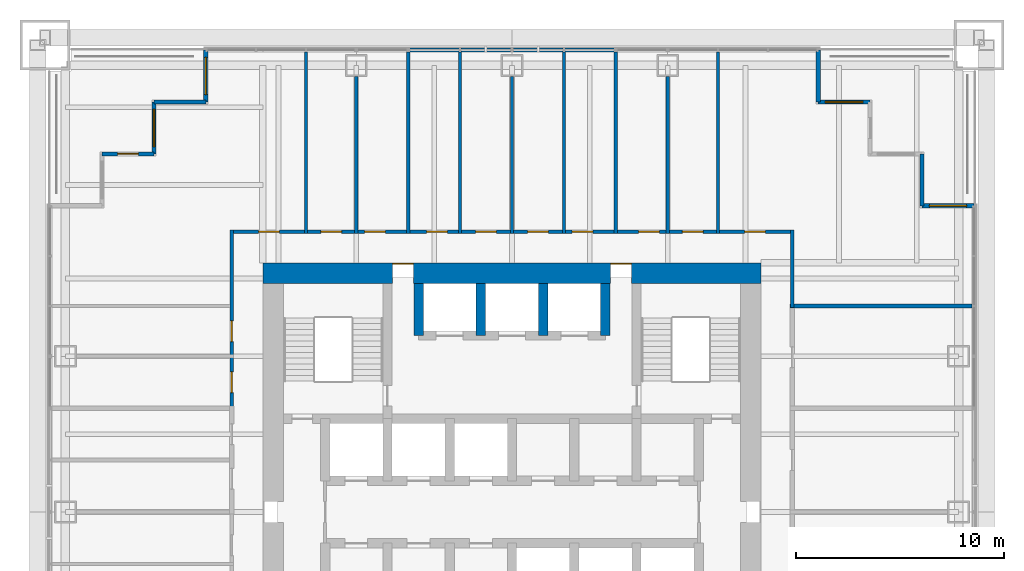
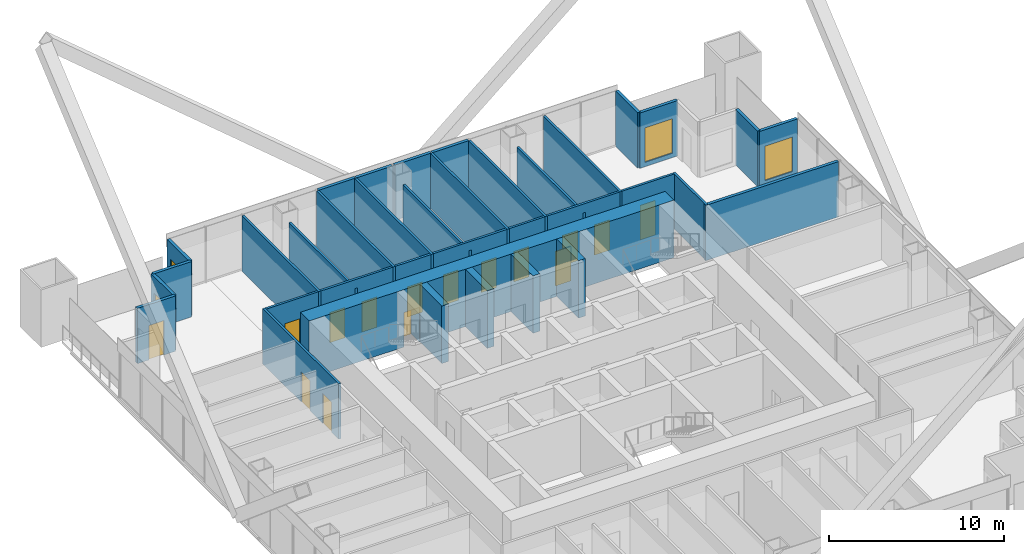
# One storey, part 14 of 17: 30 walls, 15 doors, 4 windows, 19 openings.
"""IFC4 building model written with IfcOpenShell, lengths in metres."""

from ifc_helpers import new_model, si_unit, direction, frame, frame_2d, origin, place, context, subcontext, project, spatial, rectangle, extrude, material, layer, layer_set, type_object, element, fill, save


model = new_model("IFC4")

# Units and contexts
model_context = context("Model", 3, precision=1e-05, world=origin(), true_north=direction((0.0, 1.0)))
body_context = subcontext(model_context, "Body", "Model", "MODEL_VIEW")
ifc_project = project(units=[si_unit("LENGTHUNIT", "METRE"), si_unit("AREAUNIT", "SQUARE_METRE"), si_unit("VOLUMEUNIT", "CUBIC_METRE"), si_unit("PLANEANGLEUNIT", "RADIAN"), si_unit("MASSUNIT", "GRAM", prefix="KILO")], contexts=[model_context])

# Site, building, storey
site_placement = place(None, origin())
site = spatial("IfcSite", under=ifc_project, at=site_placement, CompositionType="ELEMENT")
building_placement = place(site_placement, origin())
building = spatial("IfcBuilding", under=site, at=building_placement, Name="Tarangal Relay Tower", CompositionType="ELEMENT")
storey_placement = place(building_placement, frame((0.0, 0.0, 233.89990234375)))
storey = spatial("IfcBuildingStorey", under=building, at=storey_placement, Name="L50", CompositionType="ELEMENT", Elevation=233.89990234375)

# Walls
ifc_material_1 = material(Name="Two layers gypsum board each side on twin steel studs, mineral wool", Category="steel")
ifc_layer_1 = layer(ifc_material_1, 0.199951171875)
ifc_layer_set_1 = layer_set([ifc_layer_1], Name="Acoustic partition 200")
wall_type_1 = type_object("IfcWallType", Name="Acoustic partition 200", PredefinedType="PARTITIONING", material=ifc_layer_set_1)
wall_1_placement = place(storey_placement, frame((13.39990234375, 9.9169921875, 0.0), z_axis=(0.0, 0.0, 1.0), x_axis=(1.0, 0.0, 0.0)))
element("IfcWall", 1, at=wall_1_placement, inside=storey, type_object=wall_type_1, Name="Partition PT2 L50", PredefinedType="PARTITIONING", context=body_context, shape_type="SweptSolid", body=[
    extrude(rectangle(XDim=8.75, YDim=0.199951171875, at=frame_2d((4.375, 0.0))), origin(), (0.0, 0.0, 1.0), 3.85009765625),
])
ifc_material_2 = material(Name="Concrete fc' 60 MPa", Category="concrete")
ifc_layer_2 = layer(ifc_material_2, 0.449951171875)
ifc_layer_set_2 = layer_set([ifc_layer_2], Name="Core inner wall 450")
wall_type_2 = type_object("IfcWallType", Name="Core inner wall 450", PredefinedType="SHEAR", material=ifc_layer_set_2)
for number, where, z_axis, x_axis, name in (
    (2, (-4.5, 8.5, 0.0), (0.0, 0.0, 1.0), (0.0, 1.0, 0.0), "Core wall XM45 L50"),
    (3, (4.5, 8.5, 0.0), (0.0, 0.0, 1.0), (0.0, 1.0, 0.0), "Core wall X45 L50"),
    (4, (-1.5, 8.5, 0.0), (0.0, 0.0, 1.0), (0.0, 1.0, 0.0), "Core wall XM15 L50"),
    (5, (1.5, 8.5, 0.0), (0.0, 0.0, 1.0), (0.0, 1.0, 0.0), "Core wall X15 L50"),
):
    element("IfcWall", number, at=place(storey_placement, frame(where, z_axis=z_axis, x_axis=x_axis)), inside=storey, type_object=wall_type_2, Name=name, PredefinedType="SHEAR", context=body_context, shape_type="SweptSolid", body=[
        extrude(rectangle(XDim=2.5, YDim=0.449951171875, at=frame_2d((1.25, 0.0))), origin(), (0.0, 0.0, 1.0), 4.0),
    ])

# Wall, openings, doors
ifc_layer_3 = layer(ifc_material_2, 1.0)
ifc_layer_set_3 = layer_set([ifc_layer_3], Name="Core wall 1000")
wall_type_3 = type_object("IfcWallType", Name="Core wall 1000", PredefinedType="SHEAR", material=ifc_layer_set_3)
wall_2_placement = place(storey_placement, frame((-12.0, 11.5, 0.0), z_axis=(0.0, 0.0, 1.0), x_axis=(1.0, 0.0, 0.0)))
wall_2 = element("IfcWall", 6, at=wall_2_placement, inside=storey, type_object=wall_type_3, Name="Core wall N L50", PredefinedType="SHEAR", context=body_context, shape_type="SweptSolid", body=[
    extrude(rectangle(XDim=24.0, YDim=1.0, at=frame_2d((12.0, 0.0))), origin(), (0.0, 0.0, 1.0), 4.0),
])
opening_1_placement = place(wall_2_placement, frame((6.25, 0.0, 0.0)))
opening_1 = element("IfcOpeningElement", 7, at=opening_1_placement, cuts=wall_2, Name="Opening FD3", PredefinedType="OPENING", context=body_context, shape_type="SweptSolid", body=[
    extrude(rectangle(XDim=1.0, YDim=2.39990234375, at=frame_2d((0.5, 1.199951171875))), frame((0.0, 0.510009765625, 0.0), z_axis=(0.0, -1.0, 0.0), x_axis=(1.0, 0.0, 0.0)), (0.0, 0.0, 1.0), 1.02001953125),
])
opening_2_placement = place(wall_2_placement, frame((16.75, 0.0, 0.0)))
opening_2 = element("IfcOpeningElement", 8, at=opening_2_placement, cuts=wall_2, Name="Opening FD3", PredefinedType="OPENING", context=body_context, shape_type="SweptSolid", body=[
    extrude(rectangle(XDim=1.0, YDim=2.39990234375, at=frame_2d((0.5, 1.199951171875))), frame((0.0, 0.510009765625, 0.0), z_axis=(0.0, -1.0, 0.0), x_axis=(1.0, 0.0, 0.0)), (0.0, 0.0, 1.0), 1.02001953125),
])
ifc_material_3 = material(Name="Steel door with hardwood frame", Category="steel")
door_type_1 = type_object("IfcDoorType", Name="Fire door 1000 x 2400 core entry", OperationType="SINGLE_SWING_RIGHT", PredefinedType="DOOR", material=ifc_material_3)
door_1_placement = place(opening_1_placement, origin())
door_1 = element("IfcDoor", 9, at=door_1_placement, inside=storey, type_object=door_type_1, Name="Core entry door north west L50", OperationType="SINGLE_SWING_RIGHT", OverallHeight=2.39990234375, OverallWidth=1.0, PredefinedType="DOOR", context=body_context, shape_type="SweptSolid", body=[
    extrude(rectangle(XDim=1.0, YDim=2.39990234375, at=frame_2d((0.5, 1.199951171875))), frame((0.0, 0.48486328125, 0.0), z_axis=(0.0, -1.0, 0.0), x_axis=(1.0, 0.0, 0.0)), (0.0, 0.0, 1.0), 0.050048828125),
])
fill(opening_1, door_1)
door_2_placement = place(opening_2_placement, origin())
door_2 = element("IfcDoor", 10, at=door_2_placement, inside=storey, type_object=door_type_1, Name="Core entry door north east L50", OperationType="SINGLE_SWING_RIGHT", OverallHeight=2.39990234375, OverallWidth=1.0, PredefinedType="DOOR", context=body_context, shape_type="SweptSolid", body=[
    extrude(rectangle(XDim=1.0, YDim=2.39990234375, at=frame_2d((0.5, 1.199951171875))), frame((0.0, 0.48486328125, 0.0), z_axis=(0.0, -1.0, 0.0), x_axis=(1.0, 0.0, 0.0)), (0.0, 0.0, 1.0), 0.050048828125),
])
fill(opening_2, door_2)

# Wall
ifc_material_4 = material(Name="Black metal clad insulated wall", Category="steel")
ifc_layer_4 = layer(ifc_material_4, 0.199951171875)
ifc_layer_set_4 = layer_set([ifc_layer_4], Name="Corner wall metal clad 200")
wall_type_4 = type_object("IfcWallType", Name="Corner wall metal clad 200", PredefinedType="SOLIDWALL", material=ifc_layer_set_4)
wall_3_placement = place(storey_placement, frame((14.75, 22.25, 0.0), z_axis=(0.0, 0.0, 1.0), x_axis=(0.0, -1.0, 0.0)))
element("IfcWall", 11, at=wall_3_placement, inside=storey, type_object=wall_type_4, Name="Facade wall N facade L50", PredefinedType="SOLIDWALL", context=body_context, shape_type="SweptSolid", body=[
    extrude(rectangle(XDim=2.5, YDim=0.199951171875, at=frame_2d((1.25, 0.0))), origin(), (0.0, 0.0, 1.0), 3.85009765625),
])

# Wall, opening, window
wall_4_placement = place(storey_placement, frame((14.75, 19.75, 0.0), z_axis=(0.0, 0.0, 1.0), x_axis=(1.0, 0.0, 0.0)))
wall_4 = element("IfcWall", 12, at=wall_4_placement, inside=storey, type_object=wall_type_4, Name="Facade wall N facade L50", PredefinedType="SOLIDWALL", context=body_context, shape_type="SweptSolid", body=[
    extrude(rectangle(XDim=2.5, YDim=0.199951171875, at=frame_2d((1.25, 0.0))), origin(), (0.0, 0.0, 1.0), 3.85009765625),
])
opening_3_placement = place(wall_4_placement, frame((0.35009765625, 0.0, 0.300048828125)))
opening_3 = element("IfcOpeningElement", 13, at=opening_3_placement, cuts=wall_4, Name="Opening WN2", PredefinedType="OPENING", context=body_context, shape_type="SweptSolid", body=[
    extrude(rectangle(XDim=1.800048828125, YDim=2.39990234375, at=frame_2d((0.89990234375, 1.199951171875))), frame((0.0, 0.10986328125, 0.0), z_axis=(0.0, -1.0, 0.0), x_axis=(1.0, 0.0, 0.0)), (0.0, 0.0, 1.0), 0.219970703125),
])
ifc_material_5 = material(Name="Dark tinted double glazing in black aluminium frame", Category="aluminium")
window_type = type_object("IfcWindowType", Name="Corner window 1800 x 2400", PartitioningType="SINGLE_PANEL", PredefinedType="WINDOW", material=ifc_material_5)
window_1_placement = place(opening_3_placement, origin())
window_1 = element("IfcWindow", 14, at=window_1_placement, inside=storey, type_object=window_type, Name="Corner window WN2 N facade L50", OverallHeight=2.39990234375, OverallWidth=1.800048828125, PartitioningType="SINGLE_PANEL", PredefinedType="WINDOW", context=body_context, shape_type="SweptSolid", body=[
    extrude(rectangle(XDim=1.800048828125, YDim=2.39990234375, at=frame_2d((0.89990234375, 1.199951171875))), frame((0.0, 0.030029296875, 0.0), z_axis=(0.0, -1.0, 0.0), x_axis=(1.0, 0.0, 0.0)), (0.0, 0.0, 1.0), 0.06005859375),
])
fill(opening_3, window_1)

# Wall
wall_5_placement = place(storey_placement, frame((19.75, 17.25, 0.0), z_axis=(0.0, 0.0, 1.0), x_axis=(0.0, -1.0, 0.0)))
element("IfcWall", 15, at=wall_5_placement, inside=storey, type_object=wall_type_4, Name="Facade wall N facade L50", PredefinedType="SOLIDWALL", context=body_context, shape_type="SweptSolid", body=[
    extrude(rectangle(XDim=2.5, YDim=0.199951171875, at=frame_2d((1.25, 0.0))), origin(), (0.0, 0.0, 1.0), 3.85009765625),
])

# Wall, opening, window
wall_6_placement = place(storey_placement, frame((19.75, 14.75, 0.0), z_axis=(0.0, 0.0, 1.0), x_axis=(1.0, 0.0, 0.0)))
wall_6 = element("IfcWall", 16, at=wall_6_placement, inside=storey, type_object=wall_type_4, Name="Facade wall N facade L50", PredefinedType="SOLIDWALL", context=body_context, shape_type="SweptSolid", body=[
    extrude(rectangle(XDim=2.5, YDim=0.199951171875, at=frame_2d((1.25, 0.0))), origin(), (0.0, 0.0, 1.0), 3.85009765625),
])
opening_4_placement = place(wall_6_placement, frame((0.35009765625, 0.0, 0.300048828125)))
opening_4 = element("IfcOpeningElement", 17, at=opening_4_placement, cuts=wall_6, Name="Opening WN2", PredefinedType="OPENING", context=body_context, shape_type="SweptSolid", body=[
    extrude(rectangle(XDim=1.800048828125, YDim=2.39990234375, at=frame_2d((0.89990234375, 1.199951171875))), frame((0.0, 0.10986328125, 0.0), z_axis=(0.0, -1.0, 0.0), x_axis=(1.0, 0.0, 0.0)), (0.0, 0.0, 1.0), 0.219970703125),
])
window_2_placement = place(opening_4_placement, origin())
window_2 = element("IfcWindow", 18, at=window_2_placement, inside=storey, type_object=window_type, Name="Corner window WN2 N facade L50", OverallHeight=2.39990234375, OverallWidth=1.800048828125, PartitioningType="SINGLE_PANEL", PredefinedType="WINDOW", context=body_context, shape_type="SweptSolid", body=[
    extrude(rectangle(XDim=1.800048828125, YDim=2.39990234375, at=frame_2d((0.89990234375, 1.199951171875))), frame((0.0, 0.030029296875, 0.0), z_axis=(0.0, -1.0, 0.0), x_axis=(1.0, 0.0, 0.0)), (0.0, 0.0, 1.0), 0.06005859375),
])
fill(opening_4, window_2)

# Wall, opening, door
wall_7_placement = place(storey_placement, frame((-19.75, 17.25, 0.0), z_axis=(0.0, 0.0, 1.0), x_axis=(1.0, 0.0, 0.0)))
wall_7 = element("IfcWall", 19, at=wall_7_placement, inside=storey, type_object=wall_type_4, Name="Facade wall W facade L50", PredefinedType="SOLIDWALL", context=body_context, shape_type="SweptSolid", body=[
    extrude(rectangle(XDim=2.5, YDim=0.199951171875, at=frame_2d((1.25, 0.0))), origin(), (0.0, 0.0, 1.0), 3.85009765625),
])
opening_5_placement = place(wall_7_placement, frame((0.75, 0.0, 0.0)))
opening_5 = element("IfcOpeningElement", 20, at=opening_5_placement, cuts=wall_7, Name="Opening TD1", PredefinedType="OPENING", context=body_context, shape_type="SweptSolid", body=[
    extrude(rectangle(XDim=1.0, YDim=2.39990234375, at=frame_2d((0.5, 1.199951171875))), frame((0.0, 0.10986328125, 0.0), z_axis=(0.0, -1.0, 0.0), x_axis=(1.0, 0.0, 0.0)), (0.0, 0.0, 1.0), 0.219970703125),
])
ifc_material_6 = material(Name="Aluminium glazed door", Category="aluminium")
door_type_2 = type_object("IfcDoorType", Name="Terrace door 1000 x 2400", OperationType="SINGLE_SWING_RIGHT", PredefinedType="DOOR", material=ifc_material_6)
door_3_placement = place(opening_5_placement, origin())
door_3 = element("IfcDoor", 21, at=door_3_placement, inside=storey, type_object=door_type_2, Name="Terrace door TD1 NW L50", OperationType="SINGLE_SWING_RIGHT", OverallHeight=2.39990234375, OverallWidth=1.0, PredefinedType="DOOR", context=body_context, shape_type="SweptSolid", body=[
    extrude(rectangle(XDim=1.0, YDim=2.39990234375, at=frame_2d((0.5, 1.199951171875))), frame((0.0, 0.02490234375, 0.0), z_axis=(0.0, -1.0, 0.0), x_axis=(1.0, 0.0, 0.0)), (0.0, 0.0, 1.0), 0.050048828125),
])
fill(opening_5, door_3)

# Wall, opening, window
wall_8_placement = place(storey_placement, frame((-17.25, 17.25, 0.0), z_axis=(0.0, 0.0, 1.0), x_axis=(0.0, 1.0, 0.0)))
wall_8 = element("IfcWall", 22, at=wall_8_placement, inside=storey, type_object=wall_type_4, Name="Facade wall W facade L50", PredefinedType="SOLIDWALL", context=body_context, shape_type="SweptSolid", body=[
    extrude(rectangle(XDim=2.5, YDim=0.199951171875, at=frame_2d((1.25, 0.0))), origin(), (0.0, 0.0, 1.0), 3.85009765625),
])
opening_6_placement = place(wall_8_placement, frame((0.35009765625, 0.0, 0.300048828125)))
opening_6 = element("IfcOpeningElement", 23, at=opening_6_placement, cuts=wall_8, Name="Opening WN2", PredefinedType="OPENING", context=body_context, shape_type="SweptSolid", body=[
    extrude(rectangle(XDim=1.800048828125, YDim=2.39990234375, at=frame_2d((0.89990234375, 1.199951171875))), frame((0.0, 0.10986328125, 0.0), z_axis=(0.0, -1.0, 0.0), x_axis=(1.0, 0.0, 0.0)), (0.0, 0.0, 1.0), 0.219970703125),
])
window_3_placement = place(opening_6_placement, origin())
window_3 = element("IfcWindow", 24, at=window_3_placement, inside=storey, type_object=window_type, Name="Corner window WN2 W facade L50", OverallHeight=2.39990234375, OverallWidth=1.800048828125, PartitioningType="SINGLE_PANEL", PredefinedType="WINDOW", context=body_context, shape_type="SweptSolid", body=[
    extrude(rectangle(XDim=1.800048828125, YDim=2.39990234375, at=frame_2d((0.89990234375, 1.199951171875))), frame((0.0, 0.030029296875, 0.0), z_axis=(0.0, -1.0, 0.0), x_axis=(1.0, 0.0, 0.0)), (0.0, 0.0, 1.0), 0.06005859375),
])
fill(opening_6, window_3)

# Wall
wall_9_placement = place(storey_placement, frame((-17.25, 19.75, 0.0), z_axis=(0.0, 0.0, 1.0), x_axis=(1.0, 0.0, 0.0)))
element("IfcWall", 25, at=wall_9_placement, inside=storey, type_object=wall_type_4, Name="Facade wall W facade L50", PredefinedType="SOLIDWALL", context=body_context, shape_type="SweptSolid", body=[
    extrude(rectangle(XDim=2.5, YDim=0.199951171875, at=frame_2d((1.25, 0.0))), origin(), (0.0, 0.0, 1.0), 3.85009765625),
])

# Wall, opening, window
wall_10_placement = place(storey_placement, frame((-14.75, 19.75, 0.0), z_axis=(0.0, 0.0, 1.0), x_axis=(0.0, 1.0, 0.0)))
wall_10 = element("IfcWall", 26, at=wall_10_placement, inside=storey, type_object=wall_type_4, Name="Facade wall W facade L50", PredefinedType="SOLIDWALL", context=body_context, shape_type="SweptSolid", body=[
    extrude(rectangle(XDim=2.5, YDim=0.199951171875, at=frame_2d((1.25, 0.0))), origin(), (0.0, 0.0, 1.0), 3.85009765625),
])
opening_7_placement = place(wall_10_placement, frame((0.35009765625, 0.0, 0.300048828125)))
opening_7 = element("IfcOpeningElement", 27, at=opening_7_placement, cuts=wall_10, Name="Opening WN2", PredefinedType="OPENING", context=body_context, shape_type="SweptSolid", body=[
    extrude(rectangle(XDim=1.800048828125, YDim=2.39990234375, at=frame_2d((0.89990234375, 1.199951171875))), frame((0.0, 0.10986328125, 0.0), z_axis=(0.0, -1.0, 0.0), x_axis=(1.0, 0.0, 0.0)), (0.0, 0.0, 1.0), 0.219970703125),
])
window_4_placement = place(opening_7_placement, origin())
window_4 = element("IfcWindow", 28, at=window_4_placement, inside=storey, type_object=window_type, Name="Corner window WN2 W facade L50", OverallHeight=2.39990234375, OverallWidth=1.800048828125, PartitioningType="SINGLE_PANEL", PredefinedType="WINDOW", context=body_context, shape_type="SweptSolid", body=[
    extrude(rectangle(XDim=1.800048828125, YDim=2.39990234375, at=frame_2d((0.89990234375, 1.199951171875))), frame((0.0, 0.030029296875, 0.0), z_axis=(0.0, -1.0, 0.0), x_axis=(1.0, 0.0, 0.0)), (0.0, 0.0, 1.0), 0.06005859375),
])
fill(opening_7, window_4)

# Walls
ifc_layer_5 = layer(ifc_material_4, 0.199951171875)
ifc_layer_set_5 = layer_set([ifc_layer_5], Name="Facade infill wall metal clad 200")
wall_type_5 = type_object("IfcWallType", Name="Facade infill wall metal clad 200", PredefinedType="SOLIDWALL", material=ifc_layer_set_5)
for number, where, z_axis, x_axis, name in (
    (29, (-4.93505859375, 22.25, 0.0), (0.0, 0.0, 1.0), (1.0, 0.0, 0.0), "Facade infill wall N facade L50 1.1"),
    (30, (-2.467529296875, 22.25, 0.0), (0.0, 0.0, 1.0), (1.0, 0.0, 0.0), "Facade infill wall N facade L50 2.1"),
    (31, (0.06494140625, 22.25, 0.0), (0.0, 0.0, 1.0), (1.0, 0.0, 0.0), "Facade infill wall N facade L50 1.1"),
    (32, (2.532470703125, 22.25, 0.0), (0.0, 0.0, 1.0), (1.0, 0.0, 0.0), "Facade infill wall N facade L50 2.1"),
):
    element("IfcWall", number, at=place(storey_placement, frame(where, z_axis=z_axis, x_axis=x_axis)), inside=storey, type_object=wall_type_5, Name=name, PredefinedType="SOLIDWALL", context=body_context, shape_type="SweptSolid", body=[
        extrude(rectangle(XDim=2.402587890625, YDim=0.199951171875, at=frame_2d((1.201171875, 0.0))), origin(), (0.0, 0.0, 1.0), 3.85009765625),
    ])

# Wall, openings, doors
ifc_material_7 = material(Name="Gypsum board on steel studs", Category="steel")
ifc_layer_6 = layer(ifc_material_7, 0.14990234375)
ifc_layer_set_6 = layer_set([ifc_layer_6], Name="Partition 150")
wall_type_6 = type_object("IfcWallType", Name="Partition 150", PredefinedType="PARTITIONING", material=ifc_layer_set_6)
wall_11_placement = place(storey_placement, frame((-13.574951171875, 13.5, 0.0), z_axis=(0.0, 0.0, 1.0), x_axis=(1.0, 0.0, 0.0)))
wall_11 = element("IfcWall", 33, at=wall_11_placement, inside=storey, type_object=wall_type_6, Name="Partition PT1 L50", PredefinedType="PARTITIONING", context=body_context, shape_type="SweptSolid", body=[
    extrude(rectangle(XDim=27.14990234375, YDim=0.14990234375, at=frame_2d((13.574951171875, 0.0))), origin(), (0.0, 0.0, 1.0), 3.85009765625),
])
opening_8_placement = place(wall_11_placement, frame((4.366455078125, 0.0, 0.0)))
opening_8 = element("IfcOpeningElement", 34, at=opening_8_placement, cuts=wall_11, Name="Opening D2", PredefinedType="OPENING", context=body_context, shape_type="SweptSolid", body=[
    extrude(rectangle(XDim=1.0, YDim=2.10009765625, at=frame_2d((0.5, 1.050048828125))), frame((0.0, 0.0849609375, 0.0), z_axis=(0.0, -1.0, 0.0), x_axis=(1.0, 0.0, 0.0)), (0.0, 0.0, 1.0), 0.169921875),
])
opening_9_placement = place(wall_11_placement, frame((6.47509765625, 0.0, 0.0)))
opening_9 = element("IfcOpeningElement", 35, at=opening_9_placement, cuts=wall_11, Name="Opening D2", PredefinedType="OPENING", context=body_context, shape_type="SweptSolid", body=[
    extrude(rectangle(XDim=1.0, YDim=2.10009765625, at=frame_2d((0.5, 1.050048828125))), frame((0.0, 0.0849609375, 0.0), z_axis=(0.0, -1.0, 0.0), x_axis=(1.0, 0.0, 0.0)), (0.0, 0.0, 1.0), 0.169921875),
])
opening_10_placement = place(wall_11_placement, frame((9.465087890625, 0.0, 0.0)))
opening_10 = element("IfcOpeningElement", 36, at=opening_10_placement, cuts=wall_11, Name="Opening D2", PredefinedType="OPENING", context=body_context, shape_type="SweptSolid", body=[
    extrude(rectangle(XDim=1.0, YDim=2.10009765625, at=frame_2d((0.5, 1.050048828125))), frame((0.0, 0.0849609375, 0.0), z_axis=(0.0, -1.0, 0.0), x_axis=(1.0, 0.0, 0.0)), (0.0, 0.0, 1.0), 0.169921875),
])
opening_11_placement = place(wall_11_placement, frame((11.824951171875, 0.0, 0.0)))
opening_11 = element("IfcOpeningElement", 37, at=opening_11_placement, cuts=wall_11, Name="Opening D2", PredefinedType="OPENING", context=body_context, shape_type="SweptSolid", body=[
    extrude(rectangle(XDim=1.0, YDim=2.10009765625, at=frame_2d((0.5, 1.050048828125))), frame((0.0, 0.0849609375, 0.0), z_axis=(0.0, -1.0, 0.0), x_axis=(1.0, 0.0, 0.0)), (0.0, 0.0, 1.0), 0.169921875),
])
opening_12_placement = place(wall_11_placement, frame((14.324951171875, 0.0, 0.0)))
opening_12 = element("IfcOpeningElement", 38, at=opening_12_placement, cuts=wall_11, Name="Opening D2", PredefinedType="OPENING", context=body_context, shape_type="SweptSolid", body=[
    extrude(rectangle(XDim=1.0, YDim=2.10009765625, at=frame_2d((0.5, 1.050048828125))), frame((0.0, 0.0849609375, 0.0), z_axis=(0.0, -1.0, 0.0), x_axis=(1.0, 0.0, 0.0)), (0.0, 0.0, 1.0), 0.169921875),
])
opening_13_placement = place(wall_11_placement, frame((16.47509765625, 0.0, 0.0)))
opening_13 = element("IfcOpeningElement", 39, at=opening_13_placement, cuts=wall_11, Name="Opening D2", PredefinedType="OPENING", context=body_context, shape_type="SweptSolid", body=[
    extrude(rectangle(XDim=1.0, YDim=2.10009765625, at=frame_2d((0.5, 1.050048828125))), frame((0.0, 0.0849609375, 0.0), z_axis=(0.0, -1.0, 0.0), x_axis=(1.0, 0.0, 0.0)), (0.0, 0.0, 1.0), 0.169921875),
])
opening_14_placement = place(wall_11_placement, frame((19.675048828125, 0.0, 0.0)))
opening_14 = element("IfcOpeningElement", 40, at=opening_14_placement, cuts=wall_11, Name="Opening D2", PredefinedType="OPENING", context=body_context, shape_type="SweptSolid", body=[
    extrude(rectangle(XDim=1.0, YDim=2.10009765625, at=frame_2d((0.5, 1.050048828125))), frame((0.0, 0.0849609375, 0.0), z_axis=(0.0, -1.0, 0.0), x_axis=(1.0, 0.0, 0.0)), (0.0, 0.0, 1.0), 0.169921875),
])
opening_15_placement = place(wall_11_placement, frame((21.783447265625, 0.0, 0.0)))
opening_15 = element("IfcOpeningElement", 41, at=opening_15_placement, cuts=wall_11, Name="Opening D2", PredefinedType="OPENING", context=body_context, shape_type="SweptSolid", body=[
    extrude(rectangle(XDim=1.0, YDim=2.10009765625, at=frame_2d((0.5, 1.050048828125))), frame((0.0, 0.0849609375, 0.0), z_axis=(0.0, -1.0, 0.0), x_axis=(1.0, 0.0, 0.0)), (0.0, 0.0, 1.0), 0.169921875),
])
opening_16_placement = place(wall_11_placement, frame((24.783447265625, 0.0, 0.0)))
opening_16 = element("IfcOpeningElement", 42, at=opening_16_placement, cuts=wall_11, Name="Opening SD1", PredefinedType="OPENING", context=body_context, shape_type="SweptSolid", body=[
    extrude(rectangle(XDim=1.0, YDim=2.39990234375, at=frame_2d((0.5, 1.199951171875))), frame((0.0, 0.0849609375, 0.0), z_axis=(0.0, -1.0, 0.0), x_axis=(1.0, 0.0, 0.0)), (0.0, 0.0, 1.0), 0.169921875),
])
opening_17_placement = place(wall_11_placement, frame((1.366455078125, 0.0, 0.0)))
opening_17 = element("IfcOpeningElement", 43, at=opening_17_placement, cuts=wall_11, Name="Opening SD1", PredefinedType="OPENING", context=body_context, shape_type="SweptSolid", body=[
    extrude(rectangle(XDim=1.0, YDim=2.39990234375, at=frame_2d((0.5, 1.199951171875))), frame((0.0, 0.0849609375, 0.0), z_axis=(0.0, -1.0, 0.0), x_axis=(1.0, 0.0, 0.0)), (0.0, 0.0, 1.0), 0.169921875),
])
ifc_material_8 = material(Name="Hardwood door", Category="wood")
door_type_3 = type_object("IfcDoorType", Name="Door 1000 x 2100", OperationType="SINGLE_SWING_LEFT", PredefinedType="DOOR", material=ifc_material_8)
door_4_placement = place(opening_8_placement, origin())
door_4 = element("IfcDoor", 44, at=door_4_placement, inside=storey, type_object=door_type_3, Name="Door D2 to cellular office L50-02", OperationType="SINGLE_SWING_LEFT", OverallHeight=2.10009765625, OverallWidth=1.0, PredefinedType="DOOR", context=body_context, shape_type="SweptSolid", body=[
    extrude(rectangle(XDim=1.0, YDim=2.10009765625, at=frame_2d((0.5, 1.050048828125))), frame((0.0, 0.02490234375, 0.0), z_axis=(0.0, -1.0, 0.0), x_axis=(1.0, 0.0, 0.0)), (0.0, 0.0, 1.0), 0.050048828125),
])
fill(opening_8, door_4)
door_5_placement = place(opening_9_placement, origin())
door_5 = element("IfcDoor", 45, at=door_5_placement, inside=storey, type_object=door_type_3, Name="Door D2 to cellular office L50-03", OperationType="SINGLE_SWING_LEFT", OverallHeight=2.10009765625, OverallWidth=1.0, PredefinedType="DOOR", context=body_context, shape_type="SweptSolid", body=[
    extrude(rectangle(XDim=1.0, YDim=2.10009765625, at=frame_2d((0.5, 1.050048828125))), frame((0.0, 0.02490234375, 0.0), z_axis=(0.0, -1.0, 0.0), x_axis=(1.0, 0.0, 0.0)), (0.0, 0.0, 1.0), 0.050048828125),
])
fill(opening_9, door_5)
door_6_placement = place(opening_10_placement, origin())
door_6 = element("IfcDoor", 46, at=door_6_placement, inside=storey, type_object=door_type_3, Name="Door D2 to cellular office L50-04", OperationType="SINGLE_SWING_LEFT", OverallHeight=2.10009765625, OverallWidth=1.0, PredefinedType="DOOR", context=body_context, shape_type="SweptSolid", body=[
    extrude(rectangle(XDim=1.0, YDim=2.10009765625, at=frame_2d((0.5, 1.050048828125))), frame((0.0, 0.02490234375, 0.0), z_axis=(0.0, -1.0, 0.0), x_axis=(1.0, 0.0, 0.0)), (0.0, 0.0, 1.0), 0.050048828125),
])
fill(opening_10, door_6)
door_7_placement = place(opening_11_placement, origin())
door_7 = element("IfcDoor", 47, at=door_7_placement, inside=storey, type_object=door_type_3, Name="Door D2 to cellular office L50-05", OperationType="SINGLE_SWING_LEFT", OverallHeight=2.10009765625, OverallWidth=1.0, PredefinedType="DOOR", context=body_context, shape_type="SweptSolid", body=[
    extrude(rectangle(XDim=1.0, YDim=2.10009765625, at=frame_2d((0.5, 1.050048828125))), frame((0.0, 0.02490234375, 0.0), z_axis=(0.0, -1.0, 0.0), x_axis=(1.0, 0.0, 0.0)), (0.0, 0.0, 1.0), 0.050048828125),
])
fill(opening_11, door_7)
door_8_placement = place(opening_12_placement, origin())
door_8 = element("IfcDoor", 48, at=door_8_placement, inside=storey, type_object=door_type_3, Name="Door D2 to cellular office L50-06", OperationType="SINGLE_SWING_LEFT", OverallHeight=2.10009765625, OverallWidth=1.0, PredefinedType="DOOR", context=body_context, shape_type="SweptSolid", body=[
    extrude(rectangle(XDim=1.0, YDim=2.10009765625, at=frame_2d((0.5, 1.050048828125))), frame((0.0, 0.02490234375, 0.0), z_axis=(0.0, -1.0, 0.0), x_axis=(1.0, 0.0, 0.0)), (0.0, 0.0, 1.0), 0.050048828125),
])
fill(opening_12, door_8)
door_9_placement = place(opening_13_placement, origin())
door_9 = element("IfcDoor", 49, at=door_9_placement, inside=storey, type_object=door_type_3, Name="Door D2 to cellular office L50-07", OperationType="SINGLE_SWING_LEFT", OverallHeight=2.10009765625, OverallWidth=1.0, PredefinedType="DOOR", context=body_context, shape_type="SweptSolid", body=[
    extrude(rectangle(XDim=1.0, YDim=2.10009765625, at=frame_2d((0.5, 1.050048828125))), frame((0.0, 0.02490234375, 0.0), z_axis=(0.0, -1.0, 0.0), x_axis=(1.0, 0.0, 0.0)), (0.0, 0.0, 1.0), 0.050048828125),
])
fill(opening_13, door_9)
door_10_placement = place(opening_14_placement, origin())
door_10 = element("IfcDoor", 50, at=door_10_placement, inside=storey, type_object=door_type_3, Name="Door D2 to cellular office L50-08", OperationType="SINGLE_SWING_LEFT", OverallHeight=2.10009765625, OverallWidth=1.0, PredefinedType="DOOR", context=body_context, shape_type="SweptSolid", body=[
    extrude(rectangle(XDim=1.0, YDim=2.10009765625, at=frame_2d((0.5, 1.050048828125))), frame((0.0, 0.02490234375, 0.0), z_axis=(0.0, -1.0, 0.0), x_axis=(1.0, 0.0, 0.0)), (0.0, 0.0, 1.0), 0.050048828125),
])
fill(opening_14, door_10)
door_11_placement = place(opening_15_placement, origin())
door_11 = element("IfcDoor", 51, at=door_11_placement, inside=storey, type_object=door_type_3, Name="Door D2 to cellular office L50-09", OperationType="SINGLE_SWING_LEFT", OverallHeight=2.10009765625, OverallWidth=1.0, PredefinedType="DOOR", context=body_context, shape_type="SweptSolid", body=[
    extrude(rectangle(XDim=1.0, YDim=2.10009765625, at=frame_2d((0.5, 1.050048828125))), frame((0.0, 0.02490234375, 0.0), z_axis=(0.0, -1.0, 0.0), x_axis=(1.0, 0.0, 0.0)), (0.0, 0.0, 1.0), 0.050048828125),
])
fill(opening_15, door_11)
door_type_4 = type_object("IfcDoorType", Name="Suite entrance door 1000 x 2400", OperationType="SINGLE_SWING_RIGHT", PredefinedType="DOOR", material=ifc_material_3)
door_12_placement = place(opening_16_placement, origin())
door_12 = element("IfcDoor", 52, at=door_12_placement, inside=storey, type_object=door_type_4, Name="Door SD1 to open plan office L50-31", OperationType="SINGLE_SWING_RIGHT", OverallHeight=2.39990234375, OverallWidth=1.0, PredefinedType="DOOR", context=body_context, shape_type="SweptSolid", body=[
    extrude(rectangle(XDim=1.0, YDim=2.39990234375, at=frame_2d((0.5, 1.199951171875))), frame((0.0, 0.02490234375, 0.0), z_axis=(0.0, -1.0, 0.0), x_axis=(1.0, 0.0, 0.0)), (0.0, 0.0, 1.0), 0.050048828125),
])
fill(opening_16, door_12)
door_13_placement = place(opening_17_placement, origin())
door_13 = element("IfcDoor", 53, at=door_13_placement, inside=storey, type_object=door_type_4, Name="Door SD1 to open plan office L50-34", OperationType="SINGLE_SWING_RIGHT", OverallHeight=2.39990234375, OverallWidth=1.0, PredefinedType="DOOR", context=body_context, shape_type="SweptSolid", body=[
    extrude(rectangle(XDim=1.0, YDim=2.39990234375, at=frame_2d((0.5, 1.199951171875))), frame((0.0, 0.02490234375, 0.0), z_axis=(0.0, -1.0, 0.0), x_axis=(1.0, 0.0, 0.0)), (0.0, 0.0, 1.0), 0.050048828125),
])
fill(opening_17, door_13)

wall_12_placement = place(storey_placement, frame((-13.5, 4.925048828125, 0.0), z_axis=(0.0, 0.0, 1.0), x_axis=(0.0, 1.0, 0.0)))
wall_12 = element("IfcWall", 54, at=wall_12_placement, inside=storey, type_object=wall_type_6, Name="Partition PT1 L50", PredefinedType="PARTITIONING", context=body_context, shape_type="SweptSolid", body=[
    extrude(rectangle(XDim=8.64990234375, YDim=0.14990234375, at=frame_2d((4.324951171875, 0.0))), origin(), (0.0, 0.0, 1.0), 3.85009765625),
])
opening_18_placement = place(wall_12_placement, frame((0.824951171875, 0.0, 0.0)))
opening_18 = element("IfcOpeningElement", 55, at=opening_18_placement, cuts=wall_12, Name="Opening D2", PredefinedType="OPENING", context=body_context, shape_type="SweptSolid", body=[
    extrude(rectangle(XDim=1.0, YDim=2.10009765625, at=frame_2d((0.5, 1.050048828125))), frame((0.0, 0.0849609375, 0.0), z_axis=(0.0, -1.0, 0.0), x_axis=(1.0, 0.0, 0.0)), (0.0, 0.0, 1.0), 0.169921875),
])
opening_19_placement = place(wall_12_placement, frame((3.283447265625, 0.0, 0.0)))
opening_19 = element("IfcOpeningElement", 56, at=opening_19_placement, cuts=wall_12, Name="Opening D2", PredefinedType="OPENING", context=body_context, shape_type="SweptSolid", body=[
    extrude(rectangle(XDim=1.0, YDim=2.10009765625, at=frame_2d((0.5, 1.050048828125))), frame((0.0, 0.0849609375, 0.0), z_axis=(0.0, -1.0, 0.0), x_axis=(1.0, 0.0, 0.0)), (0.0, 0.0, 1.0), 0.169921875),
])
door_14_placement = place(opening_18_placement, origin())
door_14 = element("IfcDoor", 57, at=door_14_placement, inside=storey, type_object=door_type_3, Name="Door D2 to cellular office L50-29", OperationType="SINGLE_SWING_LEFT", OverallHeight=2.10009765625, OverallWidth=1.0, PredefinedType="DOOR", context=body_context, shape_type="SweptSolid", body=[
    extrude(rectangle(XDim=1.0, YDim=2.10009765625, at=frame_2d((0.5, 1.050048828125))), frame((0.0, 0.02490234375, 0.0), z_axis=(0.0, -1.0, 0.0), x_axis=(1.0, 0.0, 0.0)), (0.0, 0.0, 1.0), 0.050048828125),
])
fill(opening_18, door_14)
door_15_placement = place(opening_19_placement, origin())
door_15 = element("IfcDoor", 58, at=door_15_placement, inside=storey, type_object=door_type_3, Name="Door D2 to cellular office L50-30", OperationType="SINGLE_SWING_LEFT", OverallHeight=2.10009765625, OverallWidth=1.0, PredefinedType="DOOR", context=body_context, shape_type="SweptSolid", body=[
    extrude(rectangle(XDim=1.0, YDim=2.10009765625, at=frame_2d((0.5, 1.050048828125))), frame((0.0, 0.02490234375, 0.0), z_axis=(0.0, -1.0, 0.0), x_axis=(1.0, 0.0, 0.0)), (0.0, 0.0, 1.0), 0.050048828125),
])
fill(opening_19, door_15)

# Walls
wall_13_placement = place(storey_placement, frame((-9.9169921875, 13.425048828125, 0.0), z_axis=(0.0, 0.0, 1.0), x_axis=(0.0, 1.0, 0.0)))
element("IfcWall", 59, at=wall_13_placement, inside=storey, type_object=wall_type_6, Name="Partition PT1 L50", PredefinedType="PARTITIONING", context=body_context, shape_type="SweptSolid", body=[
    extrude(rectangle(XDim=8.724853515625, YDim=0.14990234375, at=frame_2d((4.3623046875, 0.0))), origin(), (0.0, 0.0, 1.0), 3.85009765625),
])
wall_14_placement = place(storey_placement, frame((-7.5, 13.425048828125, 0.0), z_axis=(0.0, 0.0, 1.0), x_axis=(0.0, 1.0, 0.0)))
element("IfcWall", 60, at=wall_14_placement, inside=storey, type_object=wall_type_6, Name="Partition PT1 L50", PredefinedType="PARTITIONING", context=body_context, shape_type="SweptSolid", body=[
    extrude(rectangle(XDim=7.56494140625, YDim=0.14990234375, at=frame_2d((3.782470703125, 0.0))), origin(), (0.0, 0.0, 1.0), 3.238037109375),
])
for number, where, z_axis, x_axis, name in (
    (61, (-5.0, 13.425048828125, 0.0), (0.0, 0.0, 1.0), (0.0, 1.0, 0.0), "Partition PT1 L50"),
    (62, (-2.5, 13.425048828125, 0.0), (0.0, 0.0, 1.0), (0.0, 1.0, 0.0), "Partition PT1 L50"),
):
    element("IfcWall", number, at=place(storey_placement, frame(where, z_axis=z_axis, x_axis=x_axis)), inside=storey, type_object=wall_type_6, Name=name, PredefinedType="PARTITIONING", context=body_context, shape_type="SweptSolid", body=[
        extrude(rectangle(XDim=8.724853515625, YDim=0.14990234375, at=frame_2d((4.3623046875, 0.0))), origin(), (0.0, 0.0, 1.0), 3.85009765625),
    ])
wall_15_placement = place(storey_placement, frame((0.0, 13.425048828125, 0.0), z_axis=(0.0, 0.0, 1.0), x_axis=(0.0, 1.0, 0.0)))
element("IfcWall", 63, at=wall_15_placement, inside=storey, type_object=wall_type_6, Name="Partition PT1 L50", PredefinedType="PARTITIONING", context=body_context, shape_type="SweptSolid", body=[
    extrude(rectangle(XDim=7.56494140625, YDim=0.14990234375, at=frame_2d((3.782470703125, 0.0))), origin(), (0.0, 0.0, 1.0), 3.238037109375),
])
for number, where, z_axis, x_axis, name in (
    (64, (2.5, 13.425048828125, 0.0), (0.0, 0.0, 1.0), (0.0, 1.0, 0.0), "Partition PT1 L50"),
    (65, (5.0, 13.425048828125, 0.0), (0.0, 0.0, 1.0), (0.0, 1.0, 0.0), "Partition PT1 L50"),
):
    element("IfcWall", number, at=place(storey_placement, frame(where, z_axis=z_axis, x_axis=x_axis)), inside=storey, type_object=wall_type_6, Name=name, PredefinedType="PARTITIONING", context=body_context, shape_type="SweptSolid", body=[
        extrude(rectangle(XDim=8.724853515625, YDim=0.14990234375, at=frame_2d((4.3623046875, 0.0))), origin(), (0.0, 0.0, 1.0), 3.85009765625),
    ])
wall_16_placement = place(storey_placement, frame((7.5, 13.425048828125, 0.0), z_axis=(0.0, 0.0, 1.0), x_axis=(0.0, 1.0, 0.0)))
element("IfcWall", 66, at=wall_16_placement, inside=storey, type_object=wall_type_6, Name="Partition PT1 L50", PredefinedType="PARTITIONING", context=body_context, shape_type="SweptSolid", body=[
    extrude(rectangle(XDim=7.56494140625, YDim=0.14990234375, at=frame_2d((3.782470703125, 0.0))), origin(), (0.0, 0.0, 1.0), 3.238037109375),
])
wall_17_placement = place(storey_placement, frame((9.9169921875, 13.425048828125, 0.0), z_axis=(0.0, 0.0, 1.0), x_axis=(0.0, 1.0, 0.0)))
element("IfcWall", 67, at=wall_17_placement, inside=storey, type_object=wall_type_6, Name="Partition PT1 L50", PredefinedType="PARTITIONING", context=body_context, shape_type="SweptSolid", body=[
    extrude(rectangle(XDim=8.724853515625, YDim=0.14990234375, at=frame_2d((4.3623046875, 0.0))), origin(), (0.0, 0.0, 1.0), 3.85009765625),
])
wall_18_placement = place(storey_placement, frame((13.5, 9.842041015625, 0.0), z_axis=(0.0, 0.0, 1.0), x_axis=(0.0, 1.0, 0.0)))
element("IfcWall", 68, at=wall_18_placement, inside=storey, type_object=wall_type_6, Name="Partition PT1 L50", PredefinedType="PARTITIONING", context=body_context, shape_type="SweptSolid", body=[
    extrude(rectangle(XDim=3.73291015625, YDim=0.14990234375, at=frame_2d((1.866455078125, 0.0))), origin(), (0.0, 0.0, 1.0), 3.85009765625),
])

save(model, "model.ifc")
